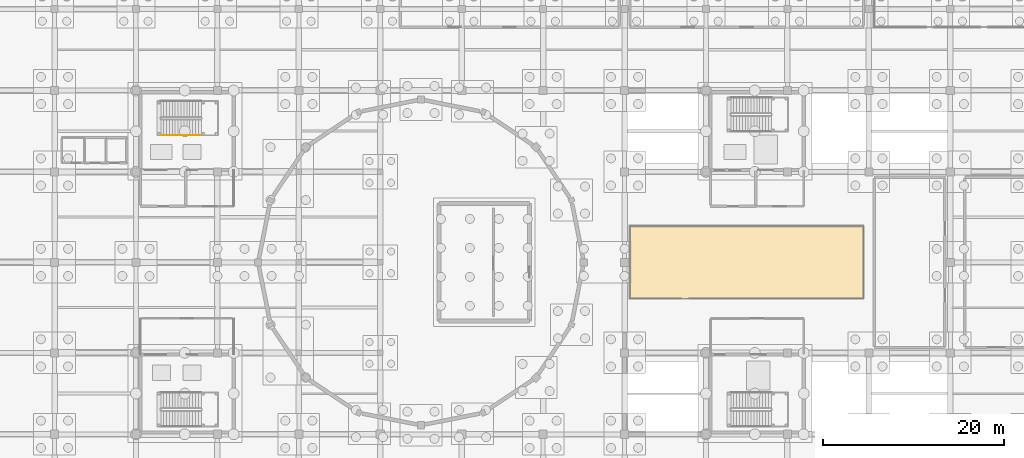
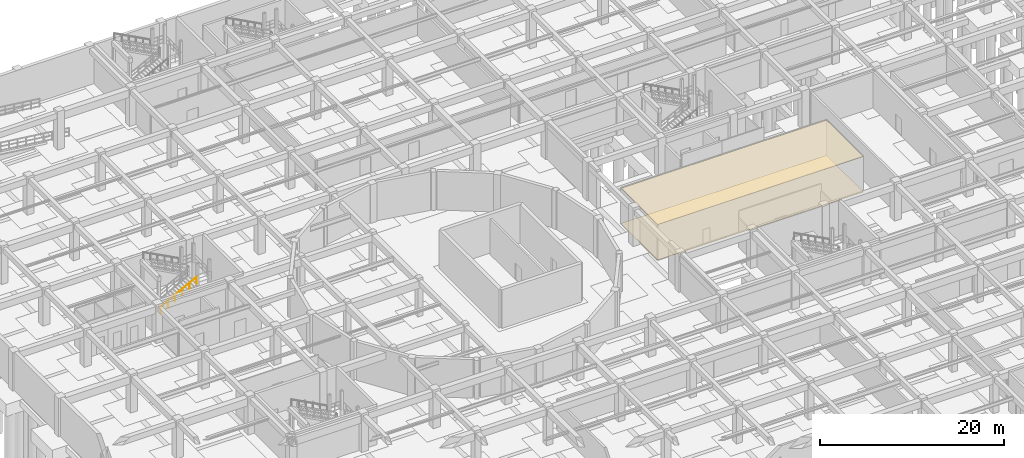
# One storey, part 56 of 62: 2 coverings, 1 railing.
"""IFC4 building model written with IfcOpenShell, lengths in metres."""

import ifcopenshell
import ifcopenshell.guid

model = None  # the IFC model being written
_history = None  # IfcOwnerHistory: only IFC2X3 demands one
_inside = {}  # id of a spatial element -> (the spatial element, [elements in it])
_under = {}  # id of a project, library or spatial element -> (it, [spatial elements below it])
_declared = {}  # id of a project -> (the project, [libraries it declares])
_typed = {}  # id of a type object -> (the type object, [elements of that type])
_made_of = {}  # id of a material, layer set ... -> (it, [elements and type objects made of it])


def new_model(schema):
    """Start an empty IFC model of exactly this schema.

    Asked for "IFC4X3", IfcOpenShell would pick the latest addendum, in which some entities
    have other attributes; the version numbers below select the first issue.
    IFC2X3 requires an IfcOwnerHistory on every rooted entity: one is made here for all.
    """
    global model, _history
    if schema == "IFC4X3":
        model = ifcopenshell.file(schema_version=(4, 3, 0, 0))
    else:
        model = ifcopenshell.file(schema=schema)
    _inside.clear()
    _under.clear()
    _declared.clear()
    _typed.clear()
    _made_of.clear()
    _history = None
    if model.schema == "IFC2X3":
        org = make("IfcOrganization", Name="unknown")
        user = make(
            "IfcPersonAndOrganization",
            ThePerson=make("IfcPerson", FamilyName="unknown"),
            TheOrganization=org,
        )
        app = make(
            "IfcApplication",
            ApplicationDeveloper=org,
            Version="unknown",
            ApplicationFullName="unknown",
            ApplicationIdentifier="unknown",
        )
        _history = make(
            "IfcOwnerHistory",
            OwningUser=user,
            OwningApplication=app,
            ChangeAction="ADDED",
            CreationDate=0,
        )
    return model


def make(cls, **values):
    """One entity of the class cls with the attributes given. An attribute that is None is left unset."""
    return model.create_entity(
        cls, **{name: value for name, value in values.items() if value is not None}
    )


def rooted(cls, **values):
    """An entity with a GlobalId (a new one), such as an element, a storey or a relation."""
    return make(cls, GlobalId=ifcopenshell.guid.new(), OwnerHistory=_history, **values)


def si_unit(unit_type, name, prefix=None):
    """IfcSIUnit, for example si_unit("LENGTHUNIT", "METRE", prefix="MILLI")."""
    return make("IfcSIUnit", UnitType=unit_type, Prefix=prefix, Name=name)


def assignment(units):
    """IfcUnitAssignment: the units of a project."""
    return None if units is None else make("IfcUnitAssignment", Units=units)


def point(xyz):
    """IfcCartesianPoint."""
    return None if xyz is None else make("IfcCartesianPoint", Coordinates=xyz)


def direction(xyz):
    """IfcDirection."""
    return None if xyz is None else make("IfcDirection", DirectionRatios=xyz)


def frame(location, z_axis=None, x_axis=None):
    """IfcAxis2Placement3D, a coordinate frame: its origin and axes. An axis left out is left unset."""
    return make(
        "IfcAxis2Placement3D",
        Location=point(location),
        Axis=direction(z_axis),
        RefDirection=direction(x_axis),
    )


def frame_2d(location, x_axis=None):
    """IfcAxis2Placement2D, a coordinate frame in the plane: its origin and x axis."""
    return make(
        "IfcAxis2Placement2D", Location=point(location), RefDirection=direction(x_axis)
    )


def origin():
    """The frame at (0, 0, 0) with its axes left unset."""
    return frame((0.0, 0.0, 0.0))


def origin_2d():
    """The frame at (0, 0) in the plane with its x axis left unset."""
    return frame_2d((0.0, 0.0))


def place(relative_to, where):
    """IfcLocalPlacement: puts the frame where relative to a parent placement (None: the world)."""
    return make(
        "IfcLocalPlacement", PlacementRelTo=relative_to, RelativePlacement=where
    )


def context(
    kind, dimensions, precision=None, world=None, true_north=None, identifier=None
):
    """IfcGeometricRepresentationContext, for example the 3D "Model" context."""
    return make(
        "IfcGeometricRepresentationContext",
        ContextIdentifier=identifier,
        ContextType=kind,
        CoordinateSpaceDimension=dimensions,
        Precision=precision,
        WorldCoordinateSystem=world,
        TrueNorth=true_north,
    )


def subcontext(parent, identifier, kind, view, scale=None):
    """IfcGeometricRepresentationSubContext, for example "Body" below "Model"."""
    return make(
        "IfcGeometricRepresentationSubContext",
        ContextIdentifier=identifier,
        ContextType=kind,
        ParentContext=parent,
        TargetScale=scale,
        TargetView=view,
    )


def project(units=None, contexts=None):
    """IfcProject with its units and contexts."""
    return rooted(
        "IfcProject",
        Name="project",
        RepresentationContexts=contexts,
        UnitsInContext=assignment(units),
    )


def spatial(cls, under=None, at=None, **own):
    """A site, building, storey or space (cls), placed at a placement, below another one or the project."""
    s = rooted(cls, ObjectPlacement=at, **own)
    if under is not None:
        _under.setdefault(under.id(), (under, []))[1].append(s)
    return s


def polyline(points):
    """IfcPolyline through the points."""
    return make("IfcPolyline", Points=[point(p) for p in points])


def profile(cls, at=None, kind="AREA", **sizes):
    """A parametric profile (cls). Its sizes go by their IFC names, for example OverallWidth=200.0."""
    return make(cls, ProfileType=kind, Position=at, **sizes)


def circle(**sizes):
    """IfcCircleProfileDef."""
    return profile("IfcCircleProfileDef", **sizes)


def outline(outer, holes=None, kind="AREA"):
    """IfcArbitraryClosedProfileDef: a profile drawn as a closed curve; with holes, ...WithVoids."""
    if holes is None:
        return make("IfcArbitraryClosedProfileDef", ProfileType=kind, OuterCurve=outer)
    return make(
        "IfcArbitraryProfileDefWithVoids",
        ProfileType=kind,
        OuterCurve=outer,
        InnerCurves=holes,
    )


def extrude(swept, where, along, depth):
    """IfcExtrudedAreaSolid: the profile swept, set in the frame where, extruded along a direction by depth."""
    return make(
        "IfcExtrudedAreaSolid",
        SweptArea=swept,
        Position=where,
        ExtrudedDirection=direction(along),
        Depth=depth,
    )


def shape(context_of_items, identifier, shape_type, items):
    """IfcShapeRepresentation: the items that make up one representation, for example the "Body"."""
    return make(
        "IfcShapeRepresentation",
        ContextOfItems=context_of_items,
        RepresentationIdentifier=identifier,
        RepresentationType=shape_type,
        Items=items,
    )


def material(Name=None, Category=None):
    """IfcMaterial."""
    return make("IfcMaterial", Name=Name, Category=Category)


def layer(
    of_material, thickness, ventilated=None, Name=None, Category=None, Priority=None
):
    """IfcMaterialLayer: one layer of a wall or slab, of a material (None: an air gap)."""
    return make(
        "IfcMaterialLayer",
        Material=of_material,
        LayerThickness=thickness,
        IsVentilated=ventilated,
        Name=Name,
        Category=Category,
        Priority=Priority,
    )


def layer_set(layers, Name=None):
    """IfcMaterialLayerSet."""
    return make("IfcMaterialLayerSet", MaterialLayers=layers, LayerSetName=Name)


def made_of(thing, what):
    """Note that an element or type object is made of a material, layer set ...; save() writes the relation."""
    if what is not None:
        _made_of.setdefault(what.id(), (what, []))[1].append(thing)
    return thing


def type_object(cls, material=None, **own):
    """A type object (cls), such as IfcWallType, which elements share."""
    return made_of(rooted(cls, **own), material)


def element(
    cls,
    number,
    at=None,
    inside=None,
    cuts=None,
    type_object=None,
    material=None,
    context=None,
    identifier="Body",
    shape_type=None,
    held_by="IfcProductDefinitionShape",
    body=None,
    shapes=None,
    **own,
):
    """One element of the class cls, such as IfcWall. Its Tag is "e" and its number.

    at: its placement. inside: the storey or other place that contains it. cuts: it is an
    opening in that element (IfcRelVoidsElement). A single representation is given by context,
    identifier, shape_type and body (its items); several are given by shapes. held_by: the class
    of the entity that holds the representations. save() writes the other relations.
    """
    e = rooted(cls, Tag="e%d" % number, ObjectPlacement=at, **own)
    if body is not None:
        shapes = [shape(context, identifier, shape_type, body)]
    if shapes is not None:
        e.Representation = make(held_by, Representations=shapes)
    if inside is not None:
        _inside.setdefault(inside.id(), (inside, []))[1].append(e)
    if cuts is not None:
        rooted(
            "IfcRelVoidsElement", RelatingBuildingElement=cuts, RelatedOpeningElement=e
        )
    if type_object is not None:
        _typed.setdefault(type_object.id(), (type_object, []))[1].append(e)
    return made_of(e, material)


def aggregate(whole, parts):
    """IfcRelAggregates: a whole, such as a stair, and the parts it consists of."""
    return rooted("IfcRelAggregates", RelatingObject=whole, RelatedObjects=parts)


def save(model, path):
    """Write the relations noted so far, then the file.

    IfcRelAggregates (storeys below a building ...), IfcRelContainedInSpatialStructure (elements
    in a storey), IfcRelDefinesByType, IfcRelAssociatesMaterial and IfcRelDeclares: one each for
    every whole, place, type object, material and project.
    """
    for whole, parts in _under.values():
        aggregate(whole, parts)
    for where, things in _inside.values():
        rooted(
            "IfcRelContainedInSpatialStructure",
            RelatedElements=things,
            RelatingStructure=where,
        )
    for kind, things in _typed.values():
        rooted("IfcRelDefinesByType", RelatedObjects=things, RelatingType=kind)
    for what, things in _made_of.values():
        rooted("IfcRelAssociatesMaterial", RelatedObjects=things, RelatingMaterial=what)
    for by, libraries in _declared.values():
        rooted("IfcRelDeclares", RelatingContext=by, RelatedDefinitions=libraries)
    model.write(path)


model = new_model("IFC4")

# Units and contexts
model_context = context("Model", 3, precision=1e-05, world=origin(), true_north=direction((0.0, 1.0)))
body_context = subcontext(model_context, "Body", "Model", "MODEL_VIEW")
ifc_project = project(units=[si_unit("LENGTHUNIT", "METRE"), si_unit("AREAUNIT", "SQUARE_METRE"), si_unit("VOLUMEUNIT", "CUBIC_METRE"), si_unit("PLANEANGLEUNIT", "RADIAN"), si_unit("MASSUNIT", "GRAM", prefix="KILO")], contexts=[model_context])

# Site, building, storey
site_placement = place(None, origin())
site = spatial("IfcSite", under=ifc_project, at=site_placement, CompositionType="ELEMENT")
building_placement = place(site_placement, origin())
building = spatial("IfcBuilding", under=site, at=building_placement, Name="Miravela Opera House", CompositionType="ELEMENT")
storey_placement = place(building_placement, frame((0.0, 0.0, -5.10009765625)))
storey = spatial("IfcBuildingStorey", under=building, at=storey_placement, Name="B01", CompositionType="ELEMENT", Elevation=-5.10009765625)

# Coverings
ifc_material_1 = material(Name="Perforated hardwood acoustic reflector ceiling", Category="wood")
ifc_layer_1 = layer(ifc_material_1, 0.031982421875)
ifc_layer_set_1 = layer_set([ifc_layer_1])
covering_type_1 = type_object("IfcCoveringType", Name="ARC-CEIL-ACOUSTIC-32", PredefinedType="CEILING", material=ifc_layer_set_1)
covering_1_placement = place(storey_placement, frame((0.0, 0.0, 4.66015625)))
element("IfcCovering", 1, at=covering_1_placement, inside=storey, type_object=covering_type_1, Name="Orchestra Musician Warm-Up Hall Acoustic Ceiling", PredefinedType="CEILING", context=body_context, shape_type="SweptSolid", body=[
    extrude(outline(polyline([(99.60009765625, 52.0), (125.39990234375, 52.0), (125.39990234375, 60.0), (99.60009765625, 60.0), (99.60009765625, 52.0)])), origin(), (0.0, 0.0, 1.0), 0.031982421875),
])
ifc_material_2 = material(Name="Sprung resilient oak stage and ballet flooring")
ifc_layer_2 = layer(ifc_material_2, 0.0380859375)
ifc_layer_set_2 = layer_set([ifc_layer_2])
covering_type_2 = type_object("IfcCoveringType", Name="ARC-FLR-SPRUNG-38", PredefinedType="FLOORING", material=ifc_layer_set_2)
covering_2_placement = place(storey_placement, origin())
element("IfcCovering", 2, at=covering_2_placement, inside=storey, type_object=covering_type_2, Name="Orchestra Musician Warm-Up Hall Finish Flooring", PredefinedType="FLOORING", context=body_context, shape_type="SweptSolid", body=[
    extrude(outline(polyline([(99.60009765625, 52.0), (125.39990234375, 52.0), (125.39990234375, 60.0), (99.60009765625, 60.0), (99.60009765625, 52.0)])), origin(), (0.0, 0.0, 1.0), 0.0380859375),
])

# Railing
ifc_material_3 = material(Name="Brushed bronze continuous stair handrail")
railing_type = type_object("IfcRailingType", Name="ARC-RAIL-HAND-900", PredefinedType="HANDRAIL", material=ifc_material_3)
railing_placement = place(storey_placement, frame((47.739990234375, 70.050048828125, 0.170166015625)))
element("IfcRailing", 3, at=railing_placement, inside=storey, type_object=railing_type, Name="B01 ST-01 stair handrail 1", PredefinedType="HANDRAIL", context=body_context, shape_type="SweptSolid", body=[
    extrude(circle(Radius=0.02392578125, at=origin_2d()), frame((0.0, 0.0, 0.8759765625), z_axis=(0.883124442951, 0.0, 0.469138804899), x_axis=(0.0, 1.0, 0.0)), (0.0, 0.0, 1.0), 5.07275390625),
    extrude(circle(Radius=0.02099609375, at=origin_2d()), origin(), (0.0, 0.0, 1.0), 0.851806640625),
    extrude(circle(Radius=0.02099609375, at=origin_2d()), frame((0.89599609375, 0.0, 0.47607421875)), (0.0, 0.0, 1.0), 0.851806640625),
    extrude(circle(Radius=0.02099609375, at=origin_2d()), frame((1.7919921875, 0.0, 0.951904296875)), (0.0, 0.0, 1.0), 0.851806640625),
    extrude(circle(Radius=0.02099609375, at=origin_2d()), frame((2.68798828125, 0.0, 1.427978515625)), (0.0, 0.0, 1.0), 0.851806640625),
    extrude(circle(Radius=0.02099609375, at=origin_2d()), frame((3.583984375, 0.0, 1.90380859375)), (0.0, 0.0, 1.0), 0.851806640625),
    extrude(circle(Radius=0.02099609375, at=origin_2d()), frame((4.47998046875, 0.0, 2.3798828125)), (0.0, 0.0, 1.0), 0.851806640625),
])

save(model, "model.ifc")
